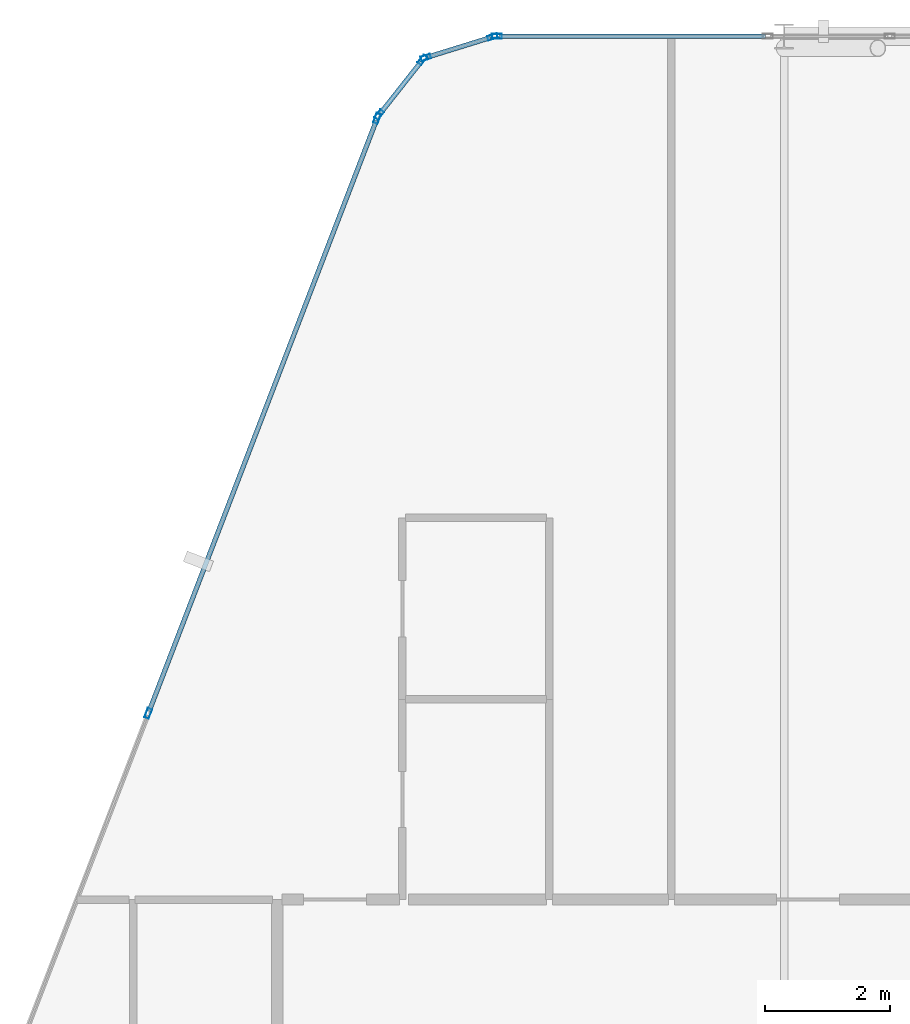
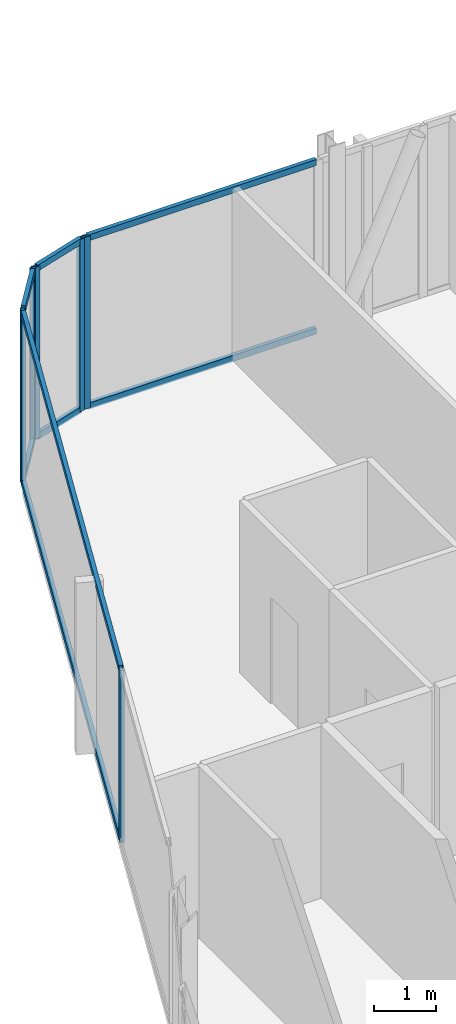
# One storey, part 15 of 27: 15 members, 4 elements without a shape of their own.
"""IFC4 building model written with IfcOpenShell, lengths in metres."""

from ifc_helpers import new_model, si_unit, direction, frame, origin, origin_2d, place, context, subcontext, project, spatial, hollow_rectangle, extrude, material, layer, layer_set, material_profile, profile_set, type_object, element, aggregate, save


model = new_model("IFC4")

# Units and contexts
model_context = context("Model", 3, precision=1e-05, world=origin(), true_north=direction((0.0, 1.0)))
body_context = subcontext(model_context, "Body", "Model", "MODEL_VIEW")
ifc_project = project(units=[si_unit("LENGTHUNIT", "METRE"), si_unit("AREAUNIT", "SQUARE_METRE"), si_unit("VOLUMEUNIT", "CUBIC_METRE"), si_unit("PLANEANGLEUNIT", "RADIAN"), si_unit("MASSUNIT", "GRAM", prefix="KILO")], contexts=[model_context])

# Site, building, storey
site_placement = place(None, origin())
site = spatial("IfcSite", under=ifc_project, at=site_placement, CompositionType="ELEMENT")
building_placement = place(site_placement, origin())
building = spatial("IfcBuilding", under=site, at=building_placement, Name="Keshet Zoharim Tower", CompositionType="ELEMENT")
storey_placement = place(building_placement, frame((0.0, 0.0, 288.0)))
storey = spatial("IfcBuildingStorey", under=building, at=storey_placement, Name="L72", CompositionType="ELEMENT", Elevation=288.0)

# Curtain wall, members
ifc_material = material(Name="Aluminium 6063-T6", Category="aluminium")
ifc_layer = layer(ifc_material, 0.260009765625)
ifc_layer_set = layer_set([ifc_layer], Name="Aluminium 6063-T6")
curtain_wall_type = type_object("IfcCurtainWallType", Name="CW-SYS-06", PredefinedType="NOTDEFINED", material=ifc_layer_set)
curtain_wall_1_placement = place(storey_placement, origin())
curtain_wall_1 = element("IfcCurtainWall", 1, at=curtain_wall_1_placement, inside=storey, type_object=curtain_wall_type, Name="L72 Unitised Curtain Wall 03", PredefinedType="NOTDEFINED")
ifc_material_profile_1 = material_profile(ifc_material, hollow_rectangle(XDim=0.074951171875, YDim=0.159912109375, WallThickness=0.00390625, at=origin_2d()), Name="MUL-75x160")
ifc_profile_set_1 = profile_set([ifc_material_profile_1], Name="Aluminium 6063-T6")
member_type_1 = type_object("IfcMemberType", Name="CWM-M15", PredefinedType="MULLION", material=ifc_profile_set_1)
member_1_placement = place(storey_placement, frame((10.8369140625, 43.076416015625, 0.0), z_axis=(0.0, 0.0, 1.0), x_axis=(-0.933341404361, 0.358990003907, 0.0)))
member_1 = element("IfcMember", 2, at=member_1_placement, type_object=member_type_1, Name="CW-06 mullion 3", PredefinedType="MULLION", context=body_context, shape_type="SweptSolid", body=[
    extrude(hollow_rectangle(XDim=0.074951171875, YDim=0.159912109375, WallThickness=0.00390625, at=origin_2d()), origin(), (0.0, 0.0, 1.0), 3.389892578125),
])
member_2_placement = place(storey_placement, frame((14.494384765625, 52.58544921875, 0.0), z_axis=(0.0, 0.0, 1.0), x_axis=(-0.933341404361, 0.358990003907, 0.0)))
member_2 = element("IfcMember", 3, at=member_2_placement, type_object=member_type_1, Name="CW-06 mullion 4", PredefinedType="MULLION", context=body_context, shape_type="SweptSolid", body=[
    extrude(hollow_rectangle(XDim=0.074951171875, YDim=0.159912109375, WallThickness=0.00390625, at=origin_2d()), origin(), (0.0, 0.0, 1.0), 3.389892578125),
])

curtain_wall_2_placement = place(storey_placement, origin())
curtain_wall_2 = element("IfcCurtainWall", 4, at=curtain_wall_2_placement, inside=storey, type_object=curtain_wall_type, Name="L72 Unitised Curtain Wall 04", PredefinedType="NOTDEFINED")
member_3_placement = place(storey_placement, frame((14.528564453125, 52.6455078125, 0.0), z_axis=(0.0, 0.0, 1.0), x_axis=(-0.785292825205, 0.619124525989, 0.0)))
member_3 = element("IfcMember", 5, at=member_3_placement, type_object=member_type_1, Name="CW-06 mullion 1", PredefinedType="MULLION", context=body_context, shape_type="SweptSolid", body=[
    extrude(hollow_rectangle(XDim=0.074951171875, YDim=0.159912109375, WallThickness=0.00390625, at=origin_2d()), origin(), (0.0, 0.0, 1.0), 3.389892578125),
])
member_4_placement = place(storey_placement, frame((15.21923828125, 53.521484375, 0.0), z_axis=(0.0, 0.0, 1.0), x_axis=(-0.785292825205, 0.619124525989, 0.0)))
member_4 = element("IfcMember", 6, at=member_4_placement, type_object=member_type_1, Name="CW-06 mullion 2", PredefinedType="MULLION", context=body_context, shape_type="SweptSolid", body=[
    extrude(hollow_rectangle(XDim=0.074951171875, YDim=0.159912109375, WallThickness=0.00390625, at=origin_2d()), origin(), (0.0, 0.0, 1.0), 3.389892578125),
])

curtain_wall_3_placement = place(storey_placement, origin())
curtain_wall_3 = element("IfcCurtainWall", 7, at=curtain_wall_3_placement, inside=storey, type_object=curtain_wall_type, Name="L72 Unitised Curtain Wall 05", PredefinedType="NOTDEFINED")
member_5_placement = place(storey_placement, frame((15.2744140625, 53.559326171875, 0.0), z_axis=(0.0, 0.0, 1.0), x_axis=(-0.295921857984, 0.955212151288, 0.0)))
member_5 = element("IfcMember", 8, at=member_5_placement, type_object=member_type_1, Name="CW-06 mullion 1", PredefinedType="MULLION", context=body_context, shape_type="SweptSolid", body=[
    extrude(hollow_rectangle(XDim=0.074951171875, YDim=0.159912109375, WallThickness=0.00390625, at=origin_2d()), origin(), (0.0, 0.0, 1.0), 3.389892578125),
])
member_6_placement = place(storey_placement, frame((16.340576171875, 53.8896484375, 0.0), z_axis=(0.0, 0.0, 1.0), x_axis=(-0.295921857984, 0.955212151288, 0.0)))
member_6 = element("IfcMember", 9, at=member_6_placement, type_object=member_type_1, Name="CW-06 mullion 2", PredefinedType="MULLION", context=body_context, shape_type="SweptSolid", body=[
    extrude(hollow_rectangle(XDim=0.074951171875, YDim=0.159912109375, WallThickness=0.00390625, at=origin_2d()), origin(), (0.0, 0.0, 1.0), 3.389892578125),
])

# Curtain wall, member
curtain_wall_4_placement = place(storey_placement, origin())
curtain_wall_4 = element("IfcCurtainWall", 10, at=curtain_wall_4_placement, inside=storey, type_object=curtain_wall_type, Name="L72 Unitised Curtain Wall 06", PredefinedType="NOTDEFINED")
member_7_placement = place(storey_placement, frame((16.408935546875, 53.89990234375, 0.0), z_axis=(0.0, 0.0, 1.0), x_axis=(0.0, 1.0, 0.0)))
member_7 = element("IfcMember", 11, at=member_7_placement, type_object=member_type_1, Name="CW-06 mullion 1", PredefinedType="MULLION", context=body_context, shape_type="SweptSolid", body=[
    extrude(hollow_rectangle(XDim=0.074951171875, YDim=0.159912109375, WallThickness=0.00390625, at=origin_2d()), origin(), (0.0, 0.0, 1.0), 3.389892578125),
])

# Member
ifc_material_profile_2 = material_profile(ifc_material, hollow_rectangle(XDim=0.074951171875, YDim=0.1201171875, WallThickness=0.00390625, at=origin_2d()), Name="TRN-75x120")
ifc_profile_set_2 = profile_set([ifc_material_profile_2], Name="Aluminium 6063-T6")
member_type_2 = type_object("IfcMemberType", Name="CWT-T12", PredefinedType="USERDEFINED", material=ifc_profile_set_2)
member_8_placement = place(storey_placement, frame((10.849609375, 43.10888671875, 0.034912109375), z_axis=(0.358985546764, 0.933343118694, 0.0), x_axis=(-0.933343118694, 0.358985546764, 0.0)))
member_8 = element("IfcMember", 12, at=member_8_placement, type_object=member_type_2, Name="CW-06 transom 3.1", ObjectType="TRANSOM", PredefinedType="USERDEFINED", context=body_context, shape_type="SweptSolid", body=[
    extrude(hollow_rectangle(XDim=0.074951171875, YDim=0.1201171875, WallThickness=0.00390625, at=origin_2d()), origin(), (0.0, 0.0, 1.0), 10.118408203125),
])

member_9_placement = place(storey_placement, frame((10.849609375, 43.10888671875, 3.35498046875), z_axis=(0.358985546764, 0.933343118694, 0.0), x_axis=(-0.933343118694, 0.358985546764, 0.0)))
member_9 = element("IfcMember", 13, at=member_9_placement, type_object=member_type_2, Name="CW-06 transom 3.2", ObjectType="TRANSOM", PredefinedType="USERDEFINED", context=body_context, shape_type="SweptSolid", body=[
    extrude(hollow_rectangle(XDim=0.074951171875, YDim=0.1201171875, WallThickness=0.00390625, at=origin_2d()), origin(), (0.0, 0.0, 1.0), 10.118408203125),
])

aggregate(curtain_wall_1, [member_1, member_2, member_8, member_9])

member_10_placement = place(storey_placement, frame((14.55029296875, 52.6728515625, 0.034912109375), z_axis=(0.619099165969, 0.78531281837, 0.0), x_axis=(-0.78531281837, 0.619099165969, 0.0)))
member_10 = element("IfcMember", 14, at=member_10_placement, type_object=member_type_2, Name="CW-06 transom 1.1", ObjectType="TRANSOM", PredefinedType="USERDEFINED", context=body_context, shape_type="SweptSolid", body=[
    extrude(hollow_rectangle(XDim=0.074951171875, YDim=0.1201171875, WallThickness=0.00390625, at=origin_2d()), origin(), (0.0, 0.0, 1.0), 1.0458984375),
])

member_11_placement = place(storey_placement, frame((14.55029296875, 52.6728515625, 3.35498046875), z_axis=(0.619099165969, 0.78531281837, 0.0), x_axis=(-0.78531281837, 0.619099165969, 0.0)))
member_11 = element("IfcMember", 15, at=member_11_placement, type_object=member_type_2, Name="CW-06 transom 1.2", ObjectType="TRANSOM", PredefinedType="USERDEFINED", context=body_context, shape_type="SweptSolid", body=[
    extrude(hollow_rectangle(XDim=0.074951171875, YDim=0.1201171875, WallThickness=0.00390625, at=origin_2d()), origin(), (0.0, 0.0, 1.0), 1.0458984375),
])

aggregate(curtain_wall_2, [member_3, member_4, member_10, member_11])

member_12_placement = place(storey_placement, frame((15.307861328125, 53.56982421875, 0.034912109375), z_axis=(0.955212093062, 0.295922045933, 0.0), x_axis=(-0.295922045933, 0.955212093062, 0.0)))
member_12 = element("IfcMember", 16, at=member_12_placement, type_object=member_type_2, Name="CW-06 transom 1.1", ObjectType="TRANSOM", PredefinedType="USERDEFINED", context=body_context, shape_type="SweptSolid", body=[
    extrude(hollow_rectangle(XDim=0.074951171875, YDim=0.1201171875, WallThickness=0.00390625, at=origin_2d()), origin(), (0.0, 0.0, 1.0), 1.046142578125),
])

member_13_placement = place(storey_placement, frame((15.307861328125, 53.56982421875, 3.35498046875), z_axis=(0.955212093062, 0.295922045933, 0.0), x_axis=(-0.295922045933, 0.955212093062, 0.0)))
member_13 = element("IfcMember", 17, at=member_13_placement, type_object=member_type_2, Name="CW-06 transom 1.2", ObjectType="TRANSOM", PredefinedType="USERDEFINED", context=body_context, shape_type="SweptSolid", body=[
    extrude(hollow_rectangle(XDim=0.074951171875, YDim=0.1201171875, WallThickness=0.00390625, at=origin_2d()), origin(), (0.0, 0.0, 1.0), 1.046142578125),
])

aggregate(curtain_wall_3, [member_5, member_6, member_12, member_13])

member_14_placement = place(storey_placement, frame((16.444091796875, 53.89990234375, 0.034912109375), z_axis=(1.0, 0.0, 0.0), x_axis=(0.0, 1.0, 0.0)))
member_14 = element("IfcMember", 18, at=member_14_placement, type_object=member_type_2, Name="CW-06 transom 1.1", ObjectType="TRANSOM", PredefinedType="USERDEFINED", context=body_context, shape_type="SweptSolid", body=[
    extrude(hollow_rectangle(XDim=0.074951171875, YDim=0.1201171875, WallThickness=0.00390625, at=origin_2d()), origin(), (0.0, 0.0, 1.0), 4.260986328125),
])

member_15_placement = place(storey_placement, frame((16.444091796875, 53.89990234375, 3.35498046875), z_axis=(1.0, 0.0, 0.0), x_axis=(0.0, 1.0, 0.0)))
member_15 = element("IfcMember", 19, at=member_15_placement, type_object=member_type_2, Name="CW-06 transom 1.2", ObjectType="TRANSOM", PredefinedType="USERDEFINED", context=body_context, shape_type="SweptSolid", body=[
    extrude(hollow_rectangle(XDim=0.074951171875, YDim=0.1201171875, WallThickness=0.00390625, at=origin_2d()), origin(), (0.0, 0.0, 1.0), 4.260986328125),
])

aggregate(curtain_wall_4, [member_7, member_14, member_15])

save(model, "model.ifc")
